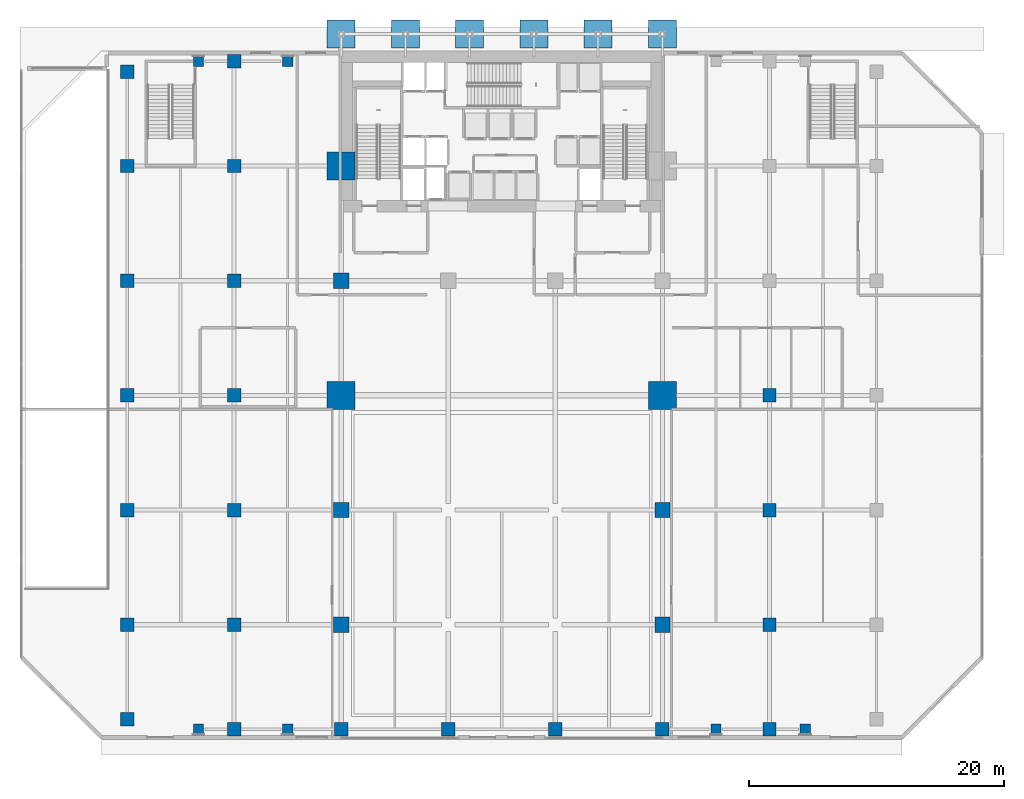
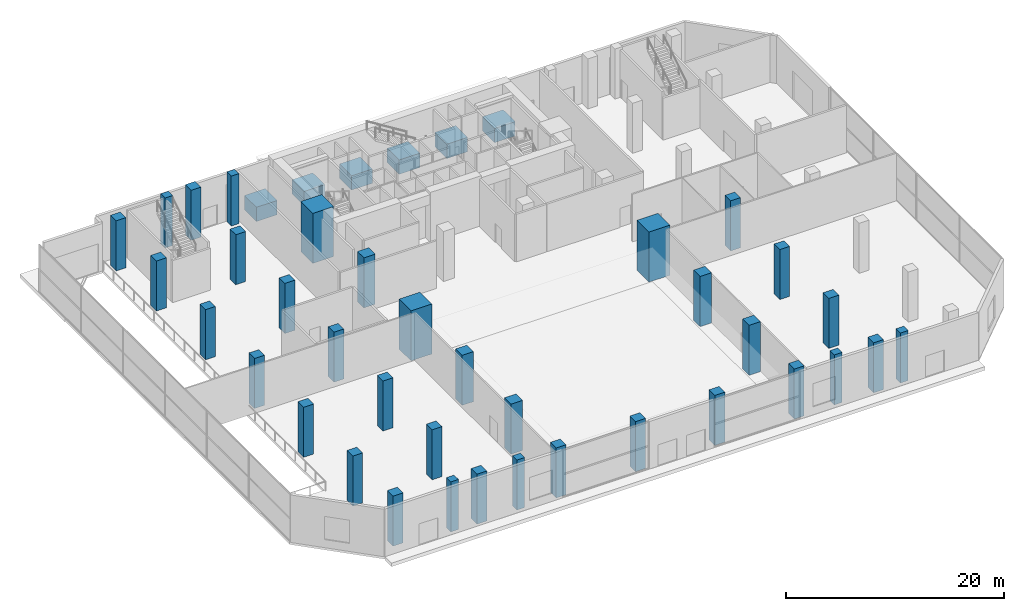
# One storey, part 1 of 35: 36 columns, 6 footings.
"""IFC4 building model written with IfcOpenShell, lengths in metres."""

from ifc_helpers import new_model, si_unit, direction, frame, origin, origin_2d, place, context, subcontext, project, spatial, polyline, rectangle, outline, extrude, material, layer, layer_set, material_profile, profile_set, type_object, element, save


model = new_model("IFC4")

# Units and contexts
model_context = context("Model", 3, precision=1e-05, world=origin(), true_north=direction((0.0, 1.0)))
body_context = subcontext(model_context, "Body", "Model", "MODEL_VIEW")
ifc_project = project(units=[si_unit("LENGTHUNIT", "METRE"), si_unit("AREAUNIT", "SQUARE_METRE"), si_unit("VOLUMEUNIT", "CUBIC_METRE"), si_unit("PLANEANGLEUNIT", "RADIAN"), si_unit("MASSUNIT", "GRAM", prefix="KILO")], contexts=[model_context])

# Site, building, storey
site_placement = place(None, origin())
site = spatial("IfcSite", under=ifc_project, at=site_placement, CompositionType="ELEMENT")
building_placement = place(site_placement, origin())
building = spatial("IfcBuilding", under=site, at=building_placement, Name="Maruvema Waterfront Hotel and Observation Tower", CompositionType="ELEMENT")
storey_placement = place(building_placement, origin())
storey = spatial("IfcBuildingStorey", under=building, at=storey_placement, Name="L00", CompositionType="ELEMENT", Elevation=0.0)

# Footings
ifc_material_1 = material(Name="Concrete C60/75", Category="concrete")
ifc_layer = layer(ifc_material_1, 1.60009765625, Name="North Canopy Pad Footing 1600 mm")
ifc_layer_set = layer_set([ifc_layer], Name="Concrete C60/75")
footing_type = type_object("IfcFootingType", Name="North Canopy Pad Footing 1600 mm", PredefinedType="PAD_FOOTING", material=ifc_layer_set)
footing_1_placement = place(storey_placement, frame((0.0, 0.0, -1.60009765625)))
element("IfcFooting", 1, at=footing_1_placement, inside=storey, type_object=footing_type, Name="Canopy Pad Footing PF-01-01", PredefinedType="PAD_FOOTING", context=body_context, shape_type="SweptSolid", body=[
    extrude(outline(polyline([(24.10009765625, 54.25), (26.300048828125, 54.25), (26.300048828125, 56.449951171875), (24.10009765625, 56.449951171875), (24.10009765625, 54.25)])), origin(), (0.0, 0.0, 1.0), 1.60009765625),
])
footing_2_placement = place(storey_placement, frame((0.0, 0.0, -1.60009765625)))
element("IfcFooting", 2, at=footing_2_placement, inside=storey, type_object=footing_type, Name="Canopy Pad Footing PF-01-02", PredefinedType="PAD_FOOTING", context=body_context, shape_type="SweptSolid", body=[
    extrude(outline(polyline([(29.139892578125, 54.25), (31.340087890625, 54.25), (31.340087890625, 56.449951171875), (29.139892578125, 56.449951171875), (29.139892578125, 54.25)])), origin(), (0.0, 0.0, 1.0), 1.60009765625),
])
footing_3_placement = place(storey_placement, frame((0.0, 0.0, -1.60009765625)))
element("IfcFooting", 3, at=footing_3_placement, inside=storey, type_object=footing_type, Name="Canopy Pad Footing PF-01-03", PredefinedType="PAD_FOOTING", context=body_context, shape_type="SweptSolid", body=[
    extrude(outline(polyline([(34.179931640625, 54.25), (36.3798828125, 54.25), (36.3798828125, 56.449951171875), (34.179931640625, 56.449951171875), (34.179931640625, 54.25)])), origin(), (0.0, 0.0, 1.0), 1.60009765625),
])
footing_4_placement = place(storey_placement, frame((0.0, 0.0, -1.60009765625)))
element("IfcFooting", 4, at=footing_4_placement, inside=storey, type_object=footing_type, Name="Canopy Pad Footing PF-01-04", PredefinedType="PAD_FOOTING", context=body_context, shape_type="SweptSolid", body=[
    extrude(outline(polyline([(39.219970703125, 54.25), (41.419921875, 54.25), (41.419921875, 56.449951171875), (39.219970703125, 56.449951171875), (39.219970703125, 54.25)])), origin(), (0.0, 0.0, 1.0), 1.60009765625),
])
footing_5_placement = place(storey_placement, frame((0.0, 0.0, -1.60009765625)))
element("IfcFooting", 5, at=footing_5_placement, inside=storey, type_object=footing_type, Name="Canopy Pad Footing PF-01-05", PredefinedType="PAD_FOOTING", context=body_context, shape_type="SweptSolid", body=[
    extrude(outline(polyline([(44.260009765625, 54.25), (46.4599609375, 54.25), (46.4599609375, 56.449951171875), (44.260009765625, 56.449951171875), (44.260009765625, 54.25)])), origin(), (0.0, 0.0, 1.0), 1.60009765625),
])
footing_6_placement = place(storey_placement, frame((0.0, 0.0, -1.60009765625)))
element("IfcFooting", 6, at=footing_6_placement, inside=storey, type_object=footing_type, Name="Canopy Pad Footing PF-01-06", PredefinedType="PAD_FOOTING", context=body_context, shape_type="SweptSolid", body=[
    extrude(outline(polyline([(49.300048828125, 54.25), (51.5, 54.25), (51.5, 56.449951171875), (49.300048828125, 56.449951171875), (49.300048828125, 54.25)])), origin(), (0.0, 0.0, 1.0), 1.60009765625),
])

# Columns
ifc_material_2 = material(Name="Concrete C80/95", Category="concrete")
ifc_material_profile_1 = material_profile(ifc_material_2, rectangle(XDim=2.199951171875, YDim=2.199951171875, at=origin_2d()), Name="MC2200x2200")
ifc_profile_set_1 = profile_set([ifc_material_profile_1], Name="Concrete C80/95")
column_type_1 = type_object("IfcColumnType", Name="Continuous Mega-Column MC2200x2200", PredefinedType="COLUMN", material=ifc_profile_set_1)
for number, where, z_axis, x_axis, name in (
    (7, (25.199951171875, 27.0, 0.0), (0.0, 0.0, 1.0), (1.0, 0.0, 0.0), "L00 Continuous Mega-Column MC-01"),
    (8, (50.39990234375, 27.0, 0.0), (0.0, 0.0, 1.0), (1.0, 0.0, 0.0), "L00 Continuous Mega-Column MC-02"),
    (9, (25.199951171875, 45.0, 0.0), (0.0, 0.0, 1.0), (1.0, 0.0, 0.0), "L00 Continuous Mega-Column MC-03"),
):
    element("IfcColumn", number, at=place(storey_placement, frame(where, z_axis=z_axis, x_axis=x_axis)), inside=storey, type_object=column_type_1, Name=name, PredefinedType="COLUMN", context=body_context, shape_type="SweptSolid", body=[
        extrude(rectangle(XDim=2.199951171875, YDim=2.199951171875, at=origin_2d()), origin(), (0.0, 0.0, 1.0), 5.60009765625),
    ])
ifc_material_3 = material(Name="Concrete C60/75", Category="concrete")
ifc_material_profile_2 = material_profile(ifc_material_3, rectangle(XDim=1.050048828125, YDim=1.050048828125, at=origin_2d()), Name="RC1050x1050")
ifc_profile_set_2 = profile_set([ifc_material_profile_2], Name="Concrete C60/75")
column_type_2 = type_object("IfcColumnType", Name="Reinforced Concrete Column RC1050x1050", PredefinedType="COLUMN", material=ifc_profile_set_2)
for number, where, z_axis, x_axis, name in (
    (10, (16.800048828125, 9.0, 0.0), (0.0, 0.0, 1.0), (1.0, 0.0, 0.0), "L00 Column C-3Y9"),
    (11, (58.800048828125, 9.0, 0.0), (0.0, 0.0, 1.0), (1.0, 0.0, 0.0), "L00 Column C-8Y9"),
    (12, (16.800048828125, 18.0, 0.0), (0.0, 0.0, 1.0), (1.0, 0.0, 0.0), "L00 Column C-3Y18"),
    (13, (58.800048828125, 18.0, 0.0), (0.0, 0.0, 1.0), (1.0, 0.0, 0.0), "L00 Column C-8Y18"),
    (14, (16.800048828125, 27.0, 0.0), (0.0, 0.0, 1.0), (1.0, 0.0, 0.0), "L00 Column C-3Y27"),
    (15, (58.800048828125, 27.0, 0.0), (0.0, 0.0, 1.0), (1.0, 0.0, 0.0), "L00 Column C-8Y27"),
    (16, (16.800048828125, 36.0, 0.0), (0.0, 0.0, 1.0), (1.0, 0.0, 0.0), "L00 Column C-3Y36"),
    (17, (16.800048828125, 45.0, 0.0), (0.0, 0.0, 1.0), (1.0, 0.0, 0.0), "L00 Column C-3Y45"),
    (18, (8.39990234375, 1.60009765625, 0.0), (0.0, 0.0, 1.0), (1.0, 0.0, 0.0), "L00 Column C-2A"),
    (19, (8.39990234375, 9.0, 0.0), (0.0, 0.0, 1.0), (1.0, 0.0, 0.0), "L00 Column C-2B"),
    (20, (8.39990234375, 18.0, 0.0), (0.0, 0.0, 1.0), (1.0, 0.0, 0.0), "L00 Column C-2C"),
    (21, (8.39990234375, 27.0, 0.0), (0.0, 0.0, 1.0), (1.0, 0.0, 0.0), "L00 Column C-2D"),
    (22, (8.39990234375, 36.0, 0.0), (0.0, 0.0, 1.0), (1.0, 0.0, 0.0), "L00 Column C-2E"),
    (23, (8.39990234375, 45.0, 0.0), (0.0, 0.0, 1.0), (1.0, 0.0, 0.0), "L00 Column C-2F"),
    (24, (8.39990234375, 52.39990234375, 0.0), (0.0, 0.0, 1.0), (1.0, 0.0, 0.0), "L00 Column C-2G"),
    (25, (16.800048828125, 0.800048828125, 0.0), (0.0, 0.0, 1.0), (1.0, 0.0, 0.0), "L00 Column C-3A"),
    (26, (25.199951171875, 0.800048828125, 0.0), (0.0, 0.0, 1.0), (1.0, 0.0, 0.0), "L00 Column C-4A"),
    (27, (33.60009765625, 0.800048828125, 0.0), (0.0, 0.0, 1.0), (1.0, 0.0, 0.0), "L00 Column C-5A"),
    (28, (42.0, 0.800048828125, 0.0), (0.0, 0.0, 1.0), (1.0, 0.0, 0.0), "L00 Column C-6A"),
    (29, (50.39990234375, 0.800048828125, 0.0), (0.0, 0.0, 1.0), (1.0, 0.0, 0.0), "L00 Column C-7A"),
    (30, (58.800048828125, 0.800048828125, 0.0), (0.0, 0.0, 1.0), (1.0, 0.0, 0.0), "L00 Column C-8A"),
    (31, (16.800048828125, 53.199951171875, 0.0), (0.0, 0.0, 1.0), (1.0, 0.0, 0.0), "L00 Column C-3G"),
):
    element("IfcColumn", number, at=place(storey_placement, frame(where, z_axis=z_axis, x_axis=x_axis)), inside=storey, type_object=column_type_2, Name=name, PredefinedType="COLUMN", context=body_context, shape_type="SweptSolid", body=[
        extrude(rectangle(XDim=1.050048828125, YDim=1.050048828125, at=origin_2d()), origin(), (0.0, 0.0, 1.0), 5.60009765625),
    ])
ifc_material_4 = material(Name="Concrete C60/75", Category="concrete")
ifc_material_profile_3 = material_profile(ifc_material_4, rectangle(XDim=1.199951171875, YDim=1.199951171875, at=origin_2d()), Name="RC1200x1200")
ifc_profile_set_3 = profile_set([ifc_material_profile_3], Name="Concrete C60/75")
column_type_3 = type_object("IfcColumnType", Name="Reinforced Concrete Column RC1200x1200", PredefinedType="COLUMN", material=ifc_profile_set_3)
for number, where, z_axis, x_axis, name in (
    (32, (25.199951171875, 36.0, 0.0), (0.0, 0.0, 1.0), (1.0, 0.0, 0.0), "L00 Column C-4E"),
    (33, (25.199951171875, 18.0, 0.0), (0.0, 0.0, 1.0), (1.0, 0.0, 0.0), "L00 Column C-4C"),
    (34, (50.39990234375, 18.0, 0.0), (0.0, 0.0, 1.0), (1.0, 0.0, 0.0), "L00 Column C-7C"),
    (35, (25.199951171875, 9.0, 0.0), (0.0, 0.0, 1.0), (1.0, 0.0, 0.0), "L00 Column C-4B"),
    (36, (50.39990234375, 9.0, 0.0), (0.0, 0.0, 1.0), (1.0, 0.0, 0.0), "L00 Column C-7B"),
):
    element("IfcColumn", number, at=place(storey_placement, frame(where, z_axis=z_axis, x_axis=x_axis)), inside=storey, type_object=column_type_3, Name=name, PredefinedType="COLUMN", context=body_context, shape_type="SweptSolid", body=[
        extrude(rectangle(XDim=1.199951171875, YDim=1.199951171875, at=origin_2d()), origin(), (0.0, 0.0, 1.0), 5.60009765625),
    ])
ifc_material_5 = material(Name="Concrete C60/75", Category="concrete")
ifc_material_profile_4 = material_profile(ifc_material_5, rectangle(XDim=0.800048828125, YDim=0.800048828125, at=origin_2d()), Name="RC800x800")
ifc_profile_set_4 = profile_set([ifc_material_profile_4], Name="Concrete C60/75")
column_type_4 = type_object("IfcColumnType", Name="Waterfront Colonnade Pilaster RC800x800", PredefinedType="PILASTER", material=ifc_profile_set_4)
for number, where, z_axis, x_axis, name in (
    (37, (14.0, 0.800048828125, 0.0), (0.0, 0.0, 1.0), (1.0, 0.0, 0.0), "L00 Column PL-S1"),
    (38, (14.0, 53.199951171875, 0.0), (0.0, 0.0, 1.0), (1.0, 0.0, 0.0), "L00 Column PL-N1"),
    (39, (21.0, 0.800048828125, 0.0), (0.0, 0.0, 1.0), (1.0, 0.0, 0.0), "L00 Column PL-S2"),
    (40, (21.0, 53.199951171875, 0.0), (0.0, 0.0, 1.0), (1.0, 0.0, 0.0), "L00 Column PL-N2"),
    (41, (54.60009765625, 0.800048828125, 0.0), (0.0, 0.0, 1.0), (1.0, 0.0, 0.0), "L00 Column PL-S3"),
    (42, (61.60009765625, 0.800048828125, 0.0), (0.0, 0.0, 1.0), (1.0, 0.0, 0.0), "L00 Column PL-S4"),
):
    element("IfcColumn", number, at=place(storey_placement, frame(where, z_axis=z_axis, x_axis=x_axis)), inside=storey, type_object=column_type_4, Name=name, PredefinedType="PILASTER", context=body_context, shape_type="SweptSolid", body=[
        extrude(rectangle(XDim=0.800048828125, YDim=0.800048828125, at=origin_2d()), origin(), (0.0, 0.0, 1.0), 5.60009765625),
    ])

save(model, "model.ifc")
